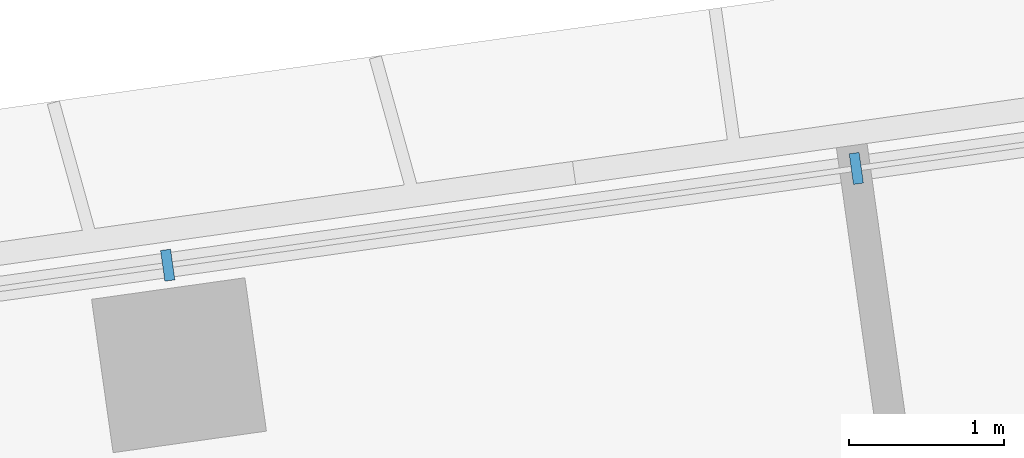
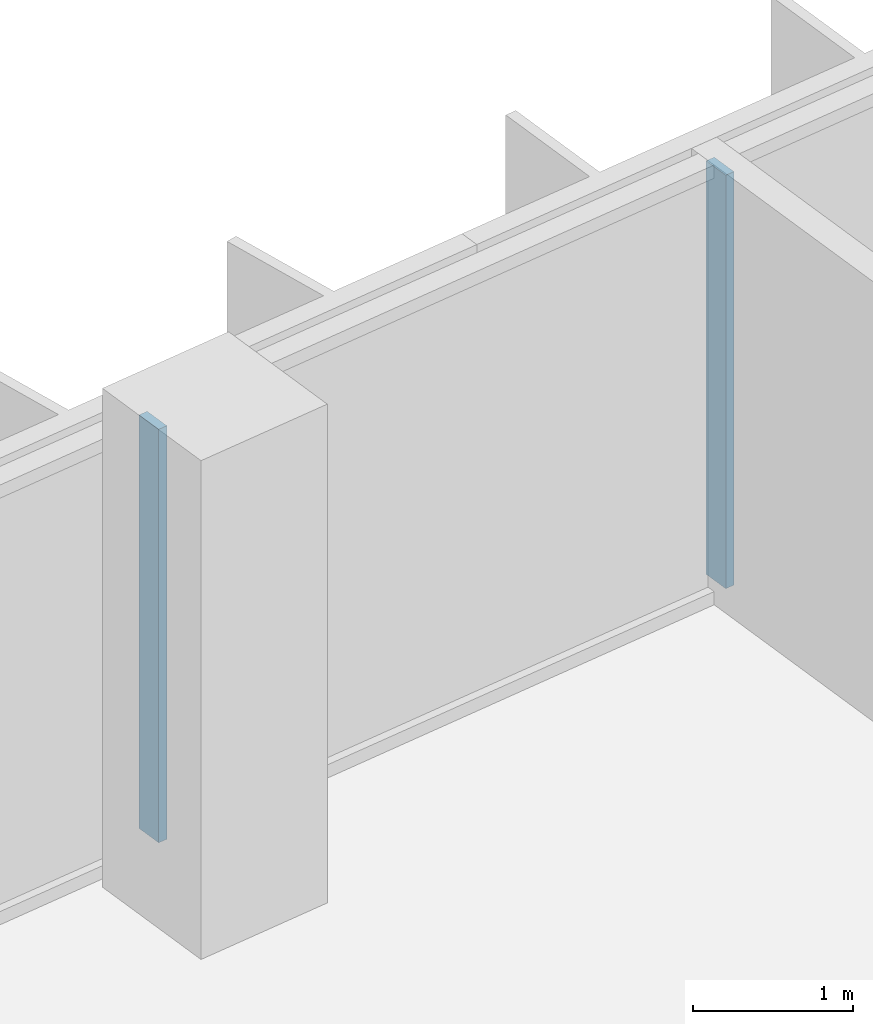
# One storey, part 8 of 25: 2 members, 1 element without a shape of its own.
"""IFC4 building model written with IfcOpenShell, lengths in metres."""

from ifc_helpers import new_model, si_unit, direction, frame, origin, origin_2d, place, context, subcontext, project, spatial, rectangle, extrude, material, material_profile, profile_set, type_object, element, aggregate, save


model = new_model("IFC4")

# Units and contexts
model_context = context("Model", 3, precision=1e-05, world=origin(), true_north=direction((0.0, 1.0)))
body_context = subcontext(model_context, "Body", "Model", "MODEL_VIEW")
ifc_project = project(units=[si_unit("LENGTHUNIT", "METRE"), si_unit("AREAUNIT", "SQUARE_METRE"), si_unit("VOLUMEUNIT", "CUBIC_METRE"), si_unit("PLANEANGLEUNIT", "RADIAN"), si_unit("MASSUNIT", "GRAM", prefix="KILO")], contexts=[model_context])

# Site, building, storey
site_placement = place(None, origin())
site = spatial("IfcSite", under=ifc_project, at=site_placement, CompositionType="ELEMENT")
building_placement = place(site_placement, origin())
building = spatial("IfcBuilding", under=site, at=building_placement, Name="Mirante Cascada Hotel Towers", CompositionType="ELEMENT")
storey_placement = place(building_placement, frame((0.0, 0.0, 73.7)))
storey = spatial("IfcBuildingStorey", under=building, at=storey_placement, Name="L15", CompositionType="ELEMENT", Elevation=73.7)

# Curtain wall, members
ifc_material_1 = material(Name="Aluminium mullion and transom frame with clear laminated glass", Category="aluminium")
curtain_wall_type = type_object("IfcCurtainWallType", Name="Ribbon curtain wall ECW1", PredefinedType="NOTDEFINED", material=ifc_material_1)
curtain_wall_placement = place(storey_placement, origin())
curtain_wall = element("IfcCurtainWall", 1, at=curtain_wall_placement, inside=storey, type_object=curtain_wall_type, Name="Front ribbon wall T2 L15", PredefinedType="NOTDEFINED")
ifc_material_2 = material(Name="Anodised aluminium extrusion", Category="aluminium")
ifc_material_profile = material_profile(ifc_material_2, rectangle(XDim=0.2, YDim=0.065, at=origin_2d()), Name="ECW1 MULLION 65x200")
ifc_profile_set = profile_set([ifc_material_profile], Name="Anodised aluminium extrusion")
member_type = type_object("IfcMemberType", Name="ECW1 mullion 65x200", PredefinedType="MULLION", material=ifc_profile_set)
member_1_placement = place(storey_placement, frame((58.5788, 21.0517, 0.1), z_axis=(0.0, 0.0, 1.0), x_axis=(0.1391731, -0.9902681, 0.0)))
member_1 = element("IfcMember", 2, at=member_1_placement, type_object=member_type, Name="ECW1 mullion 9", PredefinedType="MULLION", context=body_context, shape_type="SweptSolid", body=[
    extrude(rectangle(XDim=0.2, YDim=0.065, at=origin_2d()), origin(), (0.0, 0.0, 1.0), 3.15),
])
member_2_placement = place(storey_placement, frame((54.1314, 20.4267, 0.1), z_axis=(0.0, 0.0, 1.0), x_axis=(0.1391731, -0.9902681, 0.0)))
member_2 = element("IfcMember", 3, at=member_2_placement, type_object=member_type, Name="ECW1 mullion 10", PredefinedType="MULLION", context=body_context, shape_type="SweptSolid", body=[
    extrude(rectangle(XDim=0.2, YDim=0.065, at=origin_2d()), origin(), (0.0, 0.0, 1.0), 3.15),
])
aggregate(curtain_wall, [member_1, member_2])

save(model, "model.ifc")
